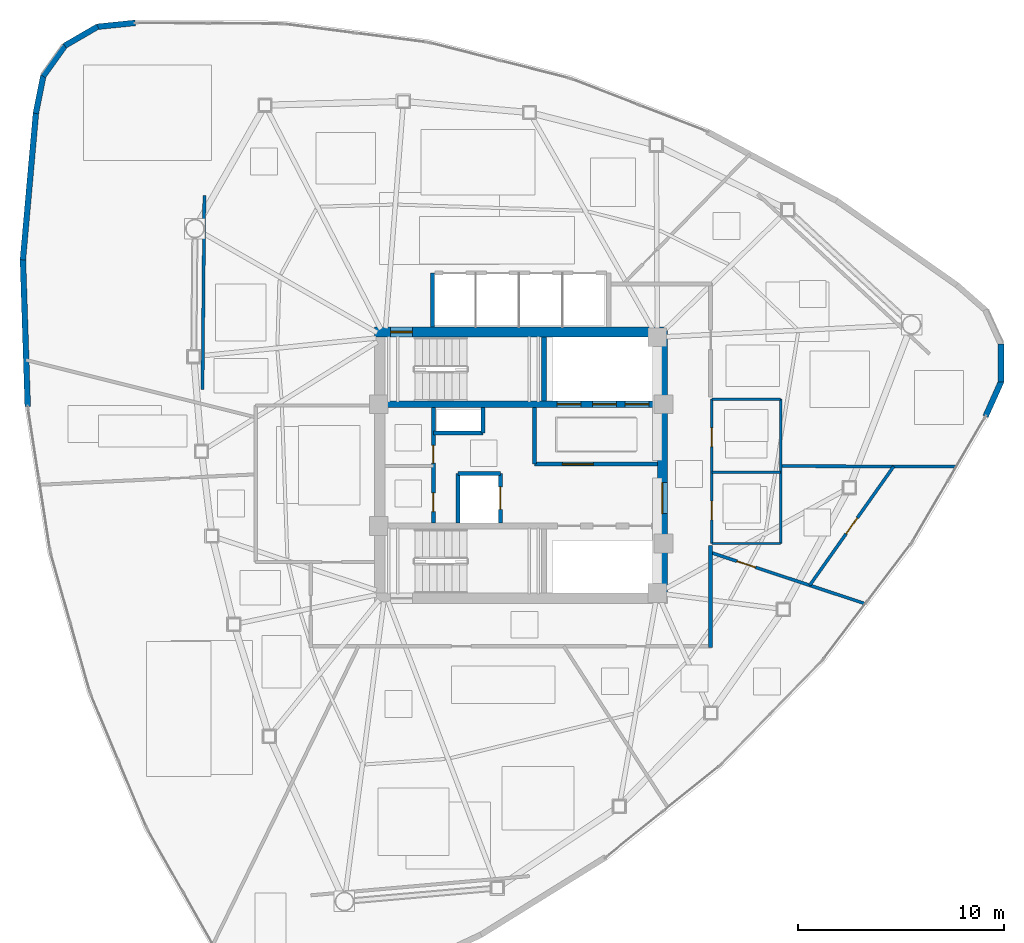
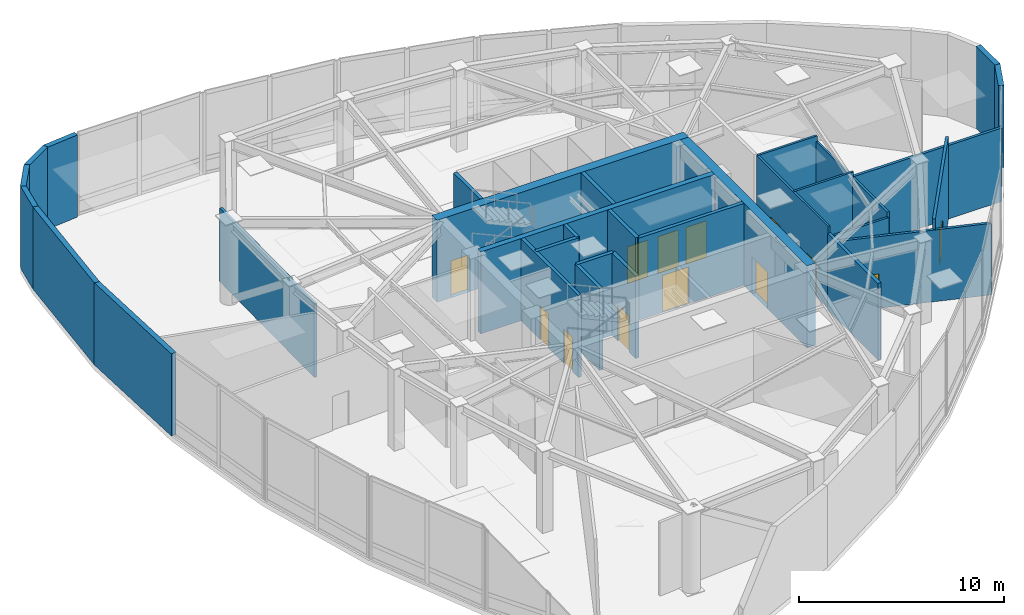
# One storey, part 9 of 12: 31 walls, 13 doors, 13 openings.
"""IFC4 building model written with IfcOpenShell, lengths in metres."""

from ifc_helpers import new_model, si_unit, direction, frame, frame_2d, origin, place, context, subcontext, project, spatial, rectangle, extrude, material, layer, layer_set, type_object, element, fill, save


model = new_model("IFC4")

# Units and contexts
model_context = context("Model", 3, precision=1e-05, world=origin(), true_north=direction((0.0, 1.0)))
body_context = subcontext(model_context, "Body", "Model", "MODEL_VIEW")
ifc_project = project(units=[si_unit("LENGTHUNIT", "METRE"), si_unit("AREAUNIT", "SQUARE_METRE"), si_unit("VOLUMEUNIT", "CUBIC_METRE"), si_unit("PLANEANGLEUNIT", "RADIAN"), si_unit("MASSUNIT", "GRAM", prefix="KILO")], contexts=[model_context])

# Site, building, storey
site_placement = place(None, origin())
site = spatial("IfcSite", under=ifc_project, at=site_placement, CompositionType="ELEMENT")
building_placement = place(site_placement, origin())
building = spatial("IfcBuilding", under=site, at=building_placement, Name="Tavelor Broadcast Tower", CompositionType="ELEMENT")
storey_placement = place(building_placement, frame((0.0, 0.0, 216.949951171875)))
storey = spatial("IfcBuildingStorey", under=building, at=storey_placement, Name="L51", CompositionType="ELEMENT", Elevation=216.949951171875)

# Wall, opening, door
ifc_material_1 = material(Name="Concrete C50/60", Category="concrete")
ifc_layer_1 = layer(ifc_material_1, 0.5)
ifc_layer_set_1 = layer_set([ifc_layer_1], Name="Concrete C50/60")
wall_type_1 = type_object("IfcWallType", Name="Core Shear Wall 500 mm", PredefinedType="SHEAR", material=ifc_layer_set_1)
wall_1_placement = place(storey_placement, frame((42.89990234375, 51.449951171875, 0.0), z_axis=(0.0, 0.0, 1.0), x_axis=(1.0, 0.0, 0.0)))
wall_1 = element("IfcWall", 1, at=wall_1_placement, inside=storey, type_object=wall_type_1, Name="L51 Central Core Shear Wall N", PredefinedType="SHEAR", context=body_context, shape_type="SweptSolid", body=[
    extrude(rectangle(XDim=14.2001953125, YDim=0.5, at=frame_2d((7.10009765625, 0.0))), origin(), (0.0, 0.0, 1.0), 4.900146484375),
])
opening_1_placement = place(wall_1_placement, frame((0.780029296875, 0.0, 0.0)))
opening_1 = element("IfcOpeningElement", 2, at=opening_1_placement, cuts=wall_1, Name="Opening DR11", PredefinedType="OPENING", context=body_context, shape_type="SweptSolid", body=[
    extrude(rectangle(XDim=1.050048828125, YDim=2.199951171875, at=frame_2d((0.52490234375, 1.10009765625))), frame((0.0, 0.260009765625, 0.0), z_axis=(0.0, -1.0, 0.0), x_axis=(1.0, 0.0, 0.0)), (0.0, 0.0, 1.0), 0.52001953125),
])
ifc_material_2 = material(Name="Steel S355", Category="steel")
door_type_1 = type_object("IfcDoorType", Name="Stair Core Fire Escape Door 1050x2200", OperationType="NOTDEFINED", PredefinedType="DOOR", material=ifc_material_2)
door_1_placement = place(opening_1_placement, origin())
door_1 = element("IfcDoor", 3, at=door_1_placement, inside=storey, type_object=door_type_1, Name="L51 Stair ST1 Protected Exit Door", OperationType="SINGLE_SWING_LEFT", OverallHeight=2.199951171875, OverallWidth=1.050048828125, PredefinedType="DOOR", context=body_context, shape_type="SweptSolid", body=[
    extrude(rectangle(XDim=1.050048828125, YDim=2.199951171875, at=frame_2d((0.52490234375, 1.10009765625))), frame((0.0, 0.02490234375, 0.0), z_axis=(0.0, -1.0, 0.0), x_axis=(1.0, 0.0, 0.0)), (0.0, 0.0, 1.0), 0.050048828125),
])
fill(opening_1, door_1)

wall_2_placement = place(storey_placement, frame((56.85009765625, 38.800048828125, 0.0), z_axis=(0.0, 0.0, 1.0), x_axis=(0.0, 1.0, 0.0)))
wall_2 = element("IfcWall", 4, at=wall_2_placement, inside=storey, type_object=wall_type_1, Name="L51 Central Core Shear Wall E", PredefinedType="SHEAR", context=body_context, shape_type="SweptSolid", body=[
    extrude(rectangle(XDim=12.39990234375, YDim=0.5, at=frame_2d((6.199951171875, 0.0))), origin(), (0.0, 0.0, 1.0), 4.900146484375),
])
opening_2_placement = place(wall_2_placement, frame((3.85009765625, 0.0, 0.0)))
opening_2 = element("IfcOpeningElement", 5, at=opening_2_placement, cuts=wall_2, Name="Opening DR14", PredefinedType="OPENING", context=body_context, shape_type="SweptSolid", body=[
    extrude(rectangle(XDim=1.5, YDim=2.199951171875, at=frame_2d((0.75, 1.10009765625))), frame((0.0, 0.260009765625, 0.0), z_axis=(0.0, -1.0, 0.0), x_axis=(1.0, 0.0, 0.0)), (0.0, 0.0, 1.0), 0.52001953125),
])
door_type_2 = type_object("IfcDoorType", Name="Firefighting Lobby Double Fire Door 1500x2200", OperationType="NOTDEFINED", PredefinedType="DOOR", material=ifc_material_2)
door_2_placement = place(opening_2_placement, origin())
door_2 = element("IfcDoor", 6, at=door_2_placement, inside=storey, type_object=door_type_2, Name="L51 Central Core Lobby Fire Door", OperationType="SINGLE_SWING_LEFT", OverallHeight=2.199951171875, OverallWidth=1.5, PredefinedType="DOOR", context=body_context, shape_type="SweptSolid", body=[
    extrude(rectangle(XDim=1.5, YDim=2.199951171875, at=frame_2d((0.75, 1.10009765625))), frame((0.0, 0.02490234375, 0.0), z_axis=(0.0, -1.0, 0.0), x_axis=(1.0, 0.0, 0.0)), (0.0, 0.0, 1.0), 0.050048828125),
])
fill(opening_2, door_2)

# Wall, openings, doors
ifc_layer_2 = layer(ifc_material_1, 0.300048828125)
ifc_layer_set_2 = layer_set([ifc_layer_2], Name="Concrete C50/60")
wall_type_2 = type_object("IfcWallType", Name="Core Spine Shear Wall 300 mm C50", PredefinedType="SHEAR", material=ifc_layer_set_2)
wall_3_placement = place(storey_placement, frame((43.39990234375, 47.949951171875, 0.0), z_axis=(0.0, 0.0, 1.0), x_axis=(1.0, 0.0, 0.0)))
wall_3 = element("IfcWall", 7, at=wall_3_placement, inside=storey, type_object=wall_type_2, Name="L51 Central Core Shear Wall SP1", PredefinedType="SHEAR", context=body_context, shape_type="SweptSolid", body=[
    extrude(rectangle(XDim=13.2001953125, YDim=0.300048828125, at=frame_2d((6.60009765625, 0.0))), origin(), (0.0, 0.0, 1.0), 4.900146484375),
])
opening_3_placement = place(wall_3_placement, frame((8.344970703125, 0.0, 0.0)))
opening_3 = element("IfcOpeningElement", 8, at=opening_3_placement, cuts=wall_3, Name="Opening LD02", PredefinedType="OPENING", context=body_context, shape_type="SweptSolid", body=[
    extrude(rectangle(XDim=1.14990234375, YDim=2.199951171875, at=frame_2d((0.574951171875, 1.10009765625))), frame((0.0, 0.16015625, 0.0), z_axis=(0.0, -1.0, 0.0), x_axis=(1.0, 0.0, 0.0)), (0.0, 0.0, 1.0), 0.320068359375),
])
opening_4_placement = place(wall_3_placement, frame((10.06494140625, 0.0, 0.0)))
opening_4 = element("IfcOpeningElement", 9, at=opening_4_placement, cuts=wall_3, Name="Opening LD02", PredefinedType="OPENING", context=body_context, shape_type="SweptSolid", body=[
    extrude(rectangle(XDim=1.14990234375, YDim=2.199951171875, at=frame_2d((0.574951171875, 1.10009765625))), frame((0.0, 0.16015625, 0.0), z_axis=(0.0, -1.0, 0.0), x_axis=(1.0, 0.0, 0.0)), (0.0, 0.0, 1.0), 0.320068359375),
])
opening_5_placement = place(wall_3_placement, frame((11.64501953125, 0.0, 0.0)))
opening_5 = element("IfcOpeningElement", 10, at=opening_5_placement, cuts=wall_3, Name="Opening LD03", PredefinedType="OPENING", context=body_context, shape_type="SweptSolid", body=[
    extrude(rectangle(XDim=1.14990234375, YDim=2.199951171875, at=frame_2d((0.574951171875, 1.10009765625))), frame((0.0, 0.16015625, 0.0), z_axis=(0.0, -1.0, 0.0), x_axis=(1.0, 0.0, 0.0)), (0.0, 0.0, 1.0), 0.320068359375),
])
ifc_material_3 = material(Name="Reinforced Brushed Stainless Steel", Category="concrete")
door_type_3 = type_object("IfcDoorType", Name="Broadcast Goods Lift Sliding Landing Door 1250x2200", OperationType="NOTDEFINED", PredefinedType="DOOR", material=ifc_material_3)
door_3_placement = place(opening_5_placement, origin())
door_3 = element("IfcDoor", 11, at=door_3_placement, inside=storey, type_object=door_type_3, Name="L51 Lift SVL1 Sliding Landing Door", OperationType="SLIDING_TO_LEFT", OverallHeight=2.199951171875, OverallWidth=1.14990234375, PredefinedType="DOOR", context=body_context, shape_type="SweptSolid", body=[
    extrude(rectangle(XDim=1.14990234375, YDim=2.199951171875, at=frame_2d((0.574951171875, 1.10009765625))), frame((0.0, 0.02490234375, 0.0), z_axis=(0.0, -1.0, 0.0), x_axis=(1.0, 0.0, 0.0)), (0.0, 0.0, 1.0), 0.050048828125),
])
fill(opening_5, door_3)
ifc_material_4 = material(Name="Fire-Rated Stainless Steel", Category="steel")
door_type_4 = type_object("IfcDoorType", Name="Firefighting Lift Sliding Landing Door 1200x2200", OperationType="NOTDEFINED", PredefinedType="DOOR", material=ifc_material_4)
door_4_placement = place(opening_3_placement, origin())
door_4 = element("IfcDoor", 12, at=door_4_placement, inside=storey, type_object=door_type_4, Name="L51 Lift FFL1 Sliding Landing Door", OperationType="SLIDING_TO_LEFT", OverallHeight=2.199951171875, OverallWidth=1.14990234375, PredefinedType="DOOR", context=body_context, shape_type="SweptSolid", body=[
    extrude(rectangle(XDim=1.14990234375, YDim=2.199951171875, at=frame_2d((0.574951171875, 1.10009765625))), frame((0.0, 0.02490234375, 0.0), z_axis=(0.0, -1.0, 0.0), x_axis=(1.0, 0.0, 0.0)), (0.0, 0.0, 1.0), 0.050048828125),
])
fill(opening_3, door_4)
door_5_placement = place(opening_4_placement, origin())
door_5 = element("IfcDoor", 13, at=door_5_placement, inside=storey, type_object=door_type_4, Name="L51 Lift FFL2 Sliding Landing Door", OperationType="SLIDING_TO_LEFT", OverallHeight=2.199951171875, OverallWidth=1.14990234375, PredefinedType="DOOR", context=body_context, shape_type="SweptSolid", body=[
    extrude(rectangle(XDim=1.14990234375, YDim=2.199951171875, at=frame_2d((0.574951171875, 1.10009765625))), frame((0.0, 0.02490234375, 0.0), z_axis=(0.0, -1.0, 0.0), x_axis=(1.0, 0.0, 0.0)), (0.0, 0.0, 1.0), 0.050048828125),
])
fill(opening_4, door_5)

ifc_material_5 = material(Name="Calcium Silicate Fire Board 180 mm", Category="gypsum")
ifc_layer_3 = layer(ifc_material_5, 0.179931640625)
ifc_layer_set_3 = layer_set([ifc_layer_3], Name="Calcium Silicate Fire Board 180 mm")
wall_type_3 = type_object("IfcWallType", Name="Fire-Rated Corridor Partition Wall 180 mm", PredefinedType="PARTITIONING", material=ifc_layer_set_3)
wall_4_placement = place(storey_placement, frame((45.75, 42.199951171875, 0.0), z_axis=(0.0, 0.0, 1.0), x_axis=(0.0, 1.0, 0.0)))
wall_4 = element("IfcWall", 14, at=wall_4_placement, inside=storey, type_object=wall_type_3, Name="L51 Core West Service East Wall", PredefinedType="PARTITIONING", context=body_context, shape_type="SweptSolid", body=[
    extrude(rectangle(XDim=5.60009765625, YDim=0.179931640625, at=frame_2d((2.800048828125, 0.0))), origin(), (0.0, 0.0, 1.0), 4.900146484375),
])
opening_6_placement = place(wall_4_placement, frame((0.550048828125, 0.0, 0.0)))
opening_6 = element("IfcOpeningElement", 15, at=opening_6_placement, cuts=wall_4, Name="Opening DR32", PredefinedType="OPENING", context=body_context, shape_type="SweptSolid", body=[
    extrude(rectangle(XDim=0.89990234375, YDim=2.050048828125, at=frame_2d((0.449951171875, 1.02490234375))), frame((0.0, 0.10009765625, 0.0), z_axis=(0.0, -1.0, 0.0), x_axis=(1.0, 0.0, 0.0)), (0.0, 0.0, 1.0), 0.199951171875),
])
opening_7_placement = place(wall_4_placement, frame((2.89990234375, 0.0, 0.0)))
opening_7 = element("IfcOpeningElement", 16, at=opening_7_placement, cuts=wall_4, Name="Opening DR36", PredefinedType="OPENING", context=body_context, shape_type="SweptSolid", body=[
    extrude(rectangle(XDim=0.85009765625, YDim=2.050048828125, at=frame_2d((0.425048828125, 1.02490234375))), frame((0.0, 0.10009765625, 0.0), z_axis=(0.0, -1.0, 0.0), x_axis=(1.0, 0.0, 0.0)), (0.0, 0.0, 1.0), 0.199951171875),
])
ifc_material_6 = material(Name="Timber Solid Core Hardwood", Category="wood")
door_type_5 = type_object("IfcDoorType", Name="Accessible Washroom Door 900x2050", OperationType="NOTDEFINED", PredefinedType="DOOR", material=ifc_material_6)
door_6_placement = place(opening_6_placement, origin())
door_6 = element("IfcDoor", 17, at=door_6_placement, inside=storey, type_object=door_type_5, Name="L51 Core Accessible WC Door", OperationType="SINGLE_SWING_LEFT", OverallHeight=2.050048828125, OverallWidth=0.89990234375, PredefinedType="DOOR", context=body_context, shape_type="SweptSolid", body=[
    extrude(rectangle(XDim=0.89990234375, YDim=2.050048828125, at=frame_2d((0.449951171875, 1.02490234375))), frame((0.0, 0.02490234375, 0.0), z_axis=(0.0, -1.0, 0.0), x_axis=(1.0, 0.0, 0.0)), (0.0, 0.0, 1.0), 0.050048828125),
])
fill(opening_6, door_6)
door_type_6 = type_object("IfcDoorType", Name="Service Room Fire Door 850x2050", OperationType="NOTDEFINED", PredefinedType="DOOR", material=ifc_material_2)
door_7_placement = place(opening_7_placement, origin())
door_7 = element("IfcDoor", 18, at=door_7_placement, inside=storey, type_object=door_type_6, Name="L51 Core Cleaner Store Door", OperationType="SINGLE_SWING_RIGHT", OverallHeight=2.050048828125, OverallWidth=0.85009765625, PredefinedType="DOOR", context=body_context, shape_type="SweptSolid", body=[
    extrude(rectangle(XDim=0.85009765625, YDim=2.050048828125, at=frame_2d((0.425048828125, 1.02490234375))), frame((0.0, 0.02490234375, 0.0), z_axis=(0.0, -1.0, 0.0), x_axis=(1.0, 0.0, 0.0)), (0.0, 0.0, 1.0), 0.050048828125),
])
fill(opening_7, door_7)

# Walls
wall_5_placement = place(storey_placement, frame((59.179931640625, 41.10009765625, 0.0), z_axis=(0.0, 0.0, 1.0), x_axis=(0.0, -1.0, 0.0)))
element("IfcWall", 19, at=wall_5_placement, inside=storey, type_object=wall_type_3, Name="L51 Corridor Compartment Wall 03", PredefinedType="PARTITIONING", context=body_context, shape_type="SweptSolid", body=[
    extrude(rectangle(XDim=4.93017578125, YDim=0.179931640625, at=frame_2d((2.465087890625, 0.0))), origin(), (0.0, 0.0, 1.0), 4.574951171875),
])
ifc_material_7 = material(Name="Precast Concrete C40/50", Category="concrete")
ifc_layer_4 = layer(ifc_material_7, 0.280029296875)
ifc_layer_set_4 = layer_set([ifc_layer_4], Name="Precast Concrete C40/50")
wall_type_4 = type_object("IfcWallType", Name="Insulated Precast Terracotta Facade Wall 280 mm", PredefinedType="STANDARD", material=ifc_layer_set_4)
wall_6_placement = place(storey_placement, frame((31.302001953125, 66.428466796875, 0.0), z_axis=(0.0, 0.0, 1.0), x_axis=(-0.994790676988, -0.101938751113, 0.0)))
element("IfcWall", 20, at=wall_6_placement, inside=storey, type_object=wall_type_4, Name="L51 Rounded Corner Structural Cladding Pier 01", PredefinedType="STANDARD", context=body_context, shape_type="SweptSolid", body=[
    extrude(rectangle(XDim=1.856201171875, YDim=0.280029296875, at=frame_2d((0.92822265625, 0.0))), origin(), (0.0, 0.0, 1.0), 4.900146484375),
])
wall_7_placement = place(storey_placement, frame((29.4833984375, 66.248291015625, 0.0), z_axis=(0.0, 0.0, 1.0), x_axis=(-0.864718471784, -0.502256871088, 0.0)))
element("IfcWall", 21, at=wall_7_placement, inside=storey, type_object=wall_type_4, Name="L51 Rounded Corner Structural Cladding Pier 02", PredefinedType="STANDARD", context=body_context, shape_type="SweptSolid", body=[
    extrude(rectangle(XDim=1.84423828125, YDim=0.280029296875, at=frame_2d((0.922119140625, 0.0))), origin(), (0.0, 0.0, 1.0), 4.900146484375),
])
wall_8_placement = place(storey_placement, frame((27.910400390625, 65.341796875, 0.0), z_axis=(0.0, 0.0, 1.0), x_axis=(-0.581438498216, -0.813590359329, 0.0)))
element("IfcWall", 22, at=wall_8_placement, inside=storey, type_object=wall_type_4, Name="L51 Rounded Corner Structural Cladding Pier 03", PredefinedType="STANDARD", context=body_context, shape_type="SweptSolid", body=[
    extrude(rectangle(XDim=1.844482421875, YDim=0.280029296875, at=frame_2d((0.92236328125, 0.0))), origin(), (0.0, 0.0, 1.0), 4.900146484375),
])
wall_9_placement = place(storey_placement, frame((26.849609375, 63.867919921875, 0.0), z_axis=(0.0, 0.0, 1.0), x_axis=(-0.19511010236, -0.980781345641, 0.0)))
element("IfcWall", 23, at=wall_9_placement, inside=storey, type_object=wall_type_4, Name="L51 Rounded Corner Structural Cladding Pier 04", PredefinedType="STANDARD", context=body_context, shape_type="SweptSolid", body=[
    extrude(rectangle(XDim=1.866943359375, YDim=0.280029296875, at=frame_2d((0.93359375, 0.0))), origin(), (0.0, 0.0, 1.0), 4.900146484375),
])
wall_10_placement = place(storey_placement, frame((26.489501953125, 62.06640625, 0.0), z_axis=(0.0, 0.0, 1.0), x_axis=(-0.088472785918, -0.996078594365, 0.0)))
element("IfcWall", 24, at=wall_10_placement, inside=storey, type_object=wall_type_4, Name="L51 Rounded Corner Structural Cladding Pier 05", PredefinedType="STANDARD", context=body_context, shape_type="SweptSolid", body=[
    extrude(rectangle(XDim=7.14990234375, YDim=0.280029296875, at=frame_2d((3.574951171875, 0.0))), origin(), (0.0, 0.0, 1.0), 4.900146484375),
])
wall_11_placement = place(storey_placement, frame((25.857666015625, 54.974609375, 0.0), z_axis=(0.0, 0.0, 1.0), x_axis=(0.03273286945, -0.999464136054, 0.0)))
element("IfcWall", 25, at=wall_11_placement, inside=storey, type_object=wall_type_4, Name="L51 Rounded Corner Structural Cladding Pier 06", PredefinedType="STANDARD", context=body_context, shape_type="SweptSolid", body=[
    extrude(rectangle(XDim=7.137939453125, YDim=0.280029296875, at=frame_2d((3.56884765625, 0.0))), origin(), (0.0, 0.0, 1.0), 4.900146484375),
])
wall_12_placement = place(storey_placement, frame((72.506591796875, 47.36083984375, 0.0), z_axis=(0.0, 0.0, 1.0), x_axis=(0.409150307884, 0.912466999709, 0.0)))
element("IfcWall", 26, at=wall_12_placement, inside=storey, type_object=wall_type_4, Name="L51 Rounded Corner Structural Cladding Pier 21", PredefinedType="STANDARD", context=body_context, shape_type="SweptSolid", body=[
    extrude(rectangle(XDim=1.8564453125, YDim=0.280029296875, at=frame_2d((0.92822265625, 0.0))), origin(), (0.0, 0.0, 1.0), 4.900146484375),
])
wall_13_placement = place(storey_placement, frame((73.260009765625, 49.02587890625, 0.0), z_axis=(0.0, 0.0, 1.0), x_axis=(-0.00277960541, 0.999996136889, 0.0)))
element("IfcWall", 27, at=wall_13_placement, inside=storey, type_object=wall_type_4, Name="L51 Rounded Corner Structural Cladding Pier 22", PredefinedType="STANDARD", context=body_context, shape_type="SweptSolid", body=[
    extrude(rectangle(XDim=1.844482421875, YDim=0.280029296875, at=frame_2d((0.92236328125, 0.0))), origin(), (0.0, 0.0, 1.0), 4.900146484375),
])
ifc_material_8 = material(Name="Gypsum Acoustic Plasterboard 150 mm", Category="gypsum")
ifc_layer_5 = layer(ifc_material_8, 0.14990234375)
ifc_layer_set_5 = layer_set([ifc_layer_5], Name="Gypsum Acoustic Plasterboard 150 mm")
wall_type_5 = type_object("IfcWallType", Name="Interior Acoustic Partition Wall 150 mm", PredefinedType="PARTITIONING", material=ifc_layer_set_5)
wall_14_placement = place(storey_placement, frame((34.651611328125, 58.0556640625, 0.0), z_axis=(0.0, 0.0, 1.0), x_axis=(-0.009553538759, -0.999954363907, 0.0)))
element("IfcWall", 28, at=wall_14_placement, inside=storey, type_object=wall_type_5, Name="L51 Corner Tube Brace Furring Wall 1", PredefinedType="PARTITIONING", context=body_context, shape_type="SweptSolid", body=[
    extrude(rectangle(XDim=9.404296875, YDim=0.14990234375, at=frame_2d((4.7021484375, 0.0))), origin(), (0.0, 0.0, 1.0), 4.385009765625),
])

# Wall, opening, door
wall_15_placement = place(storey_placement, frame((59.179931640625, 40.765625, 0.0), z_axis=(0.0, 0.0, 1.0), x_axis=(0.949255862532, -0.314504860772, 0.0)))
wall_15 = element("IfcWall", 29, at=wall_15_placement, inside=storey, type_object=wall_type_5, Name="L51 Radial Compartment Wall 03", PredefinedType="PARTITIONING", context=body_context, shape_type="SweptSolid", body=[
    extrude(rectangle(XDim=7.909423828125, YDim=0.14990234375, at=frame_2d((3.95458984375, 0.0))), origin(), (0.0, 0.0, 1.0), 4.275146484375),
])
opening_8_placement = place(wall_15_placement, frame((1.35009765625, 0.0, 0.0)))
opening_8 = element("IfcOpeningElement", 30, at=opening_8_placement, cuts=wall_15, Name="Opening DR18", PredefinedType="OPENING", context=body_context, shape_type="SweptSolid", body=[
    extrude(rectangle(XDim=0.949951171875, YDim=2.050048828125, at=frame_2d((0.47509765625, 1.02490234375))), frame((0.0, 0.0849609375, 0.0), z_axis=(0.0, -1.0, 0.0), x_axis=(1.0, 0.0, 0.0)), (0.0, 0.0, 1.0), 0.169921875),
])
door_type_7 = type_object("IfcDoorType", Name="Corridor Rated Compartment Door 950x2050", OperationType="NOTDEFINED", PredefinedType="DOOR", material=ifc_material_6)
door_8_placement = place(opening_8_placement, origin())
door_8 = element("IfcDoor", 31, at=door_8_placement, inside=storey, type_object=door_type_7, Name="L51 Suite Connecting Door 7", OperationType="SINGLE_SWING_RIGHT", OverallHeight=2.050048828125, OverallWidth=0.949951171875, PredefinedType="DOOR", context=body_context, shape_type="SweptSolid", body=[
    extrude(rectangle(XDim=0.949951171875, YDim=2.050048828125, at=frame_2d((0.47509765625, 1.02490234375))), frame((0.0, 0.02490234375, 0.0), z_axis=(0.0, -1.0, 0.0), x_axis=(1.0, 0.0, 0.0)), (0.0, 0.0, 1.0), 0.050048828125),
])
fill(opening_8, door_8)

# Wall
wall_16_placement = place(storey_placement, frame((62.64990234375, 44.950927734375, 0.0), z_axis=(0.0, 0.0, 1.0), x_axis=(0.999995390856, -0.003036159848, 0.0)))
element("IfcWall", 32, at=wall_16_placement, inside=storey, type_object=wall_type_5, Name="L51 Radial Compartment Wall 04", PredefinedType="PARTITIONING", context=body_context, shape_type="SweptSolid", body=[
    extrude(rectangle(XDim=8.443115234375, YDim=0.14990234375, at=frame_2d((4.2216796875, 0.0))), origin(), (0.0, 0.0, 1.0), 4.385009765625),
])

# Wall, opening, door
wall_17_placement = place(storey_placement, frame((63.985107421875, 39.173583984375, 0.0), z_axis=(0.0, 0.0, 1.0), x_axis=(0.576874808599, 0.816832574769, 0.0)))
wall_17 = element("IfcWall", 33, at=wall_17_placement, inside=storey, type_object=wall_type_5, Name="L51 Suite Chord Partition Wall 01", PredefinedType="PARTITIONING", context=body_context, shape_type="SweptSolid", body=[
    extrude(rectangle(XDim=7.052734375, YDim=0.14990234375, at=frame_2d((3.5263671875, 0.0))), origin(), (0.0, 0.0, 1.0), 4.900146484375),
])
opening_9_placement = place(wall_17_placement, frame((3.051513671875, 0.0, 0.0)))
opening_9 = element("IfcOpeningElement", 34, at=opening_9_placement, cuts=wall_17, Name="Opening DR23", PredefinedType="OPENING", context=body_context, shape_type="SweptSolid", body=[
    extrude(rectangle(XDim=0.949951171875, YDim=2.050048828125, at=frame_2d((0.47509765625, 1.02490234375))), frame((0.0, 0.0849609375, 0.0), z_axis=(0.0, -1.0, 0.0), x_axis=(1.0, 0.0, 0.0)), (0.0, 0.0, 1.0), 0.169921875),
])
door_type_8 = type_object("IfcDoorType", Name="Editorial Room Acoustic Door 950x2050", OperationType="NOTDEFINED", PredefinedType="DOOR", material=ifc_material_6)
door_9_placement = place(opening_9_placement, origin())
door_9 = element("IfcDoor", 35, at=door_9_placement, inside=storey, type_object=door_type_8, Name="L51 Outer Suite Partition Door 1", OperationType="SINGLE_SWING_LEFT", OverallHeight=2.050048828125, OverallWidth=0.949951171875, PredefinedType="DOOR", context=body_context, shape_type="SweptSolid", body=[
    extrude(rectangle(XDim=0.949951171875, YDim=2.050048828125, at=frame_2d((0.47509765625, 1.02490234375))), frame((0.0, 0.02490234375, 0.0), z_axis=(0.0, -1.0, 0.0), x_axis=(1.0, 0.0, 0.0)), (0.0, 0.0, 1.0), 0.050048828125),
])
fill(opening_9, door_9)

ifc_material_9 = material(Name="Concrete Blockwork 200 mm", Category="masonry")
ifc_layer_6 = layer(ifc_material_9, 0.199951171875)
ifc_layer_set_6 = layer_set([ifc_layer_6], Name="Concrete Blockwork 200 mm")
wall_type_6 = type_object("IfcWallType", Name="Lift Hoistway Rated Front Wall 200 mm", PredefinedType="PARTITIONING", material=ifc_layer_set_6)
wall_18_placement = place(storey_placement, frame((49.0, 42.199951171875, 0.0), z_axis=(0.0, 0.0, 1.0), x_axis=(0.0, 1.0, 0.0)))
wall_18 = element("IfcWall", 36, at=wall_18_placement, inside=storey, type_object=wall_type_6, Name="L51 Mid-Rise Lift PLM4 Hoistway Front Wall", PredefinedType="PARTITIONING", context=body_context, shape_type="SweptSolid", body=[
    extrude(rectangle(XDim=2.400146484375, YDim=0.199951171875, at=frame_2d((1.2001953125, 0.0))), origin(), (0.0, 0.0, 1.0), 4.900146484375),
])
opening_10_placement = place(wall_18_placement, frame((0.64990234375, 0.0, 0.0)))
opening_10 = element("IfcOpeningElement", 37, at=opening_10_placement, cuts=wall_18, Name="Opening LD01", PredefinedType="OPENING", context=body_context, shape_type="SweptSolid", body=[
    extrude(rectangle(XDim=1.10009765625, YDim=2.14990234375, at=frame_2d((0.550048828125, 1.074951171875))), frame((0.0, 0.10986328125, 0.0), z_axis=(0.0, -1.0, 0.0), x_axis=(1.0, 0.0, 0.0)), (0.0, 0.0, 1.0), 0.219970703125),
])
ifc_material_10 = material(Name="Brushed Stainless Steel", Category="steel")
door_type_9 = type_object("IfcDoorType", Name="Passenger Lift Sliding Landing Door 1100x2150", OperationType="NOTDEFINED", PredefinedType="DOOR", material=ifc_material_10)
door_10_placement = place(opening_10_placement, origin())
door_10 = element("IfcDoor", 38, at=door_10_placement, inside=storey, type_object=door_type_9, Name="L51 Lift PLM4 Sliding Landing Door", OperationType="SLIDING_TO_RIGHT", OverallHeight=2.14990234375, OverallWidth=1.10009765625, PredefinedType="DOOR", context=body_context, shape_type="SweptSolid", body=[
    extrude(rectangle(XDim=1.10009765625, YDim=2.14990234375, at=frame_2d((0.550048828125, 1.074951171875))), frame((0.0, 0.02490234375, 0.0), z_axis=(0.0, -1.0, 0.0), x_axis=(1.0, 0.0, 0.0)), (0.0, 0.0, 1.0), 0.050048828125),
])
fill(opening_10, door_10)

# Walls
ifc_layer_7 = layer(ifc_material_9, 0.199951171875)
ifc_layer_set_7 = layer_set([ifc_layer_7], Name="Concrete Blockwork 200 mm")
wall_type_7 = type_object("IfcWallType", Name="Lift and Riser Shaft Enclosure Wall 200 mm", PredefinedType="PARTITIONING", material=ifc_layer_set_7)
wall_19_placement = place(storey_placement, frame((45.699951171875, 51.699951171875, 0.0), z_axis=(0.0, 0.0, 1.0), x_axis=(0.0, 1.0, 0.0)))
element("IfcWall", 39, at=wall_19_placement, inside=storey, type_object=wall_type_7, Name="L51 High-Rise Lift Shaft West Wall", PredefinedType="PARTITIONING", context=body_context, shape_type="SweptSolid", body=[
    extrude(rectangle(XDim=2.60009765625, YDim=0.199951171875, at=frame_2d((1.300048828125, 0.0))), origin(), (0.0, 0.0, 1.0), 4.900146484375),
])
wall_20_placement = place(storey_placement, frame((45.75, 46.550048828125, 0.0), z_axis=(0.0, 0.0, 1.0), x_axis=(1.0, 0.0, 0.0)))
element("IfcWall", 40, at=wall_20_placement, inside=storey, type_object=wall_type_7, Name="L51 Riser Shaft South Wall", PredefinedType="PARTITIONING", context=body_context, shape_type="SweptSolid", body=[
    extrude(rectangle(XDim=2.39990234375, YDim=0.199951171875, at=frame_2d((1.199951171875, 0.0))), origin(), (0.0, 0.0, 1.0), 4.900146484375),
])
wall_21_placement = place(storey_placement, frame((48.14990234375, 46.550048828125, 0.0), z_axis=(0.0, 0.0, 1.0), x_axis=(0.0, 1.0, 0.0)))
element("IfcWall", 41, at=wall_21_placement, inside=storey, type_object=wall_type_7, Name="L51 Riser Shaft East Wall", PredefinedType="PARTITIONING", context=body_context, shape_type="SweptSolid", body=[
    extrude(rectangle(XDim=1.25, YDim=0.199951171875, at=frame_2d((0.625, 0.0))), origin(), (0.0, 0.0, 1.0), 4.900146484375),
])
wall_22_placement = place(storey_placement, frame((46.949951171875, 42.199951171875, 0.0), z_axis=(0.0, 0.0, 1.0), x_axis=(0.0, 1.0, 0.0)))
element("IfcWall", 42, at=wall_22_placement, inside=storey, type_object=wall_type_7, Name="L51 Mid-Rise Lift PLM4 West Wall", PredefinedType="PARTITIONING", context=body_context, shape_type="SweptSolid", body=[
    extrude(rectangle(XDim=2.400146484375, YDim=0.199951171875, at=frame_2d((1.2001953125, 0.0))), origin(), (0.0, 0.0, 1.0), 4.900146484375),
])
wall_23_placement = place(storey_placement, frame((46.949951171875, 44.60009765625, 0.0), z_axis=(0.0, 0.0, 1.0), x_axis=(1.0, 0.0, 0.0)))
element("IfcWall", 43, at=wall_23_placement, inside=storey, type_object=wall_type_7, Name="L51 Mid-Rise Lift PLM4 North Wall", PredefinedType="PARTITIONING", context=body_context, shape_type="SweptSolid", body=[
    extrude(rectangle(XDim=2.050048828125, YDim=0.199951171875, at=frame_2d((1.02490234375, 0.0))), origin(), (0.0, 0.0, 1.0), 4.900146484375),
])

# Wall, opening, door
wall_24_placement = place(storey_placement, frame((50.64990234375, 45.050048828125, 0.0), z_axis=(0.0, 0.0, 1.0), x_axis=(1.0, 0.0, 0.0)))
wall_24 = element("IfcWall", 44, at=wall_24_placement, inside=storey, type_object=wall_type_7, Name="L51 Firefighting Lobby South Wall", PredefinedType="PARTITIONING", context=body_context, shape_type="SweptSolid", body=[
    extrude(rectangle(XDim=5.9501953125, YDim=0.199951171875, at=frame_2d((2.97509765625, 0.0))), origin(), (0.0, 0.0, 1.0), 4.900146484375),
])
opening_11_placement = place(wall_24_placement, frame((1.35009765625, 0.0, 0.0)))
opening_11 = element("IfcOpeningElement", 45, at=opening_11_placement, cuts=wall_24, Name="Opening DR14", PredefinedType="OPENING", context=body_context, shape_type="SweptSolid", body=[
    extrude(rectangle(XDim=1.5, YDim=2.199951171875, at=frame_2d((0.75, 1.10009765625))), frame((0.0, 0.10986328125, 0.0), z_axis=(0.0, -1.0, 0.0), x_axis=(1.0, 0.0, 0.0)), (0.0, 0.0, 1.0), 0.219970703125),
])
door_11_placement = place(opening_11_placement, origin())
door_11 = element("IfcDoor", 46, at=door_11_placement, inside=storey, type_object=door_type_2, Name="L51 Firefighting Lobby Compartment Door", OperationType="SINGLE_SWING_RIGHT", OverallHeight=2.199951171875, OverallWidth=1.5, PredefinedType="DOOR", context=body_context, shape_type="SweptSolid", body=[
    extrude(rectangle(XDim=1.5, YDim=2.199951171875, at=frame_2d((0.75, 1.10009765625))), frame((0.0, 0.02490234375, 0.0), z_axis=(0.0, -1.0, 0.0), x_axis=(1.0, 0.0, 0.0)), (0.0, 0.0, 1.0), 0.050048828125),
])
fill(opening_11, door_11)

# Wall
wall_25_placement = place(storey_placement, frame((50.64990234375, 45.050048828125, 0.0), z_axis=(0.0, 0.0, 1.0), x_axis=(0.0, 1.0, 0.0)))
element("IfcWall", 47, at=wall_25_placement, inside=storey, type_object=wall_type_7, Name="L51 Firefighting Lobby West Wall", PredefinedType="PARTITIONING", context=body_context, shape_type="SweptSolid", body=[
    extrude(rectangle(XDim=2.75, YDim=0.199951171875, at=frame_2d((1.375, 0.0))), origin(), (0.0, 0.0, 1.0), 4.900146484375),
])

# Wall, openings, doors
ifc_material_11 = material(Name="Moisture-Resistant Plasterboard 120 mm", Category="gypsum")
ifc_layer_8 = layer(ifc_material_11, 0.1201171875)
ifc_layer_set_8 = layer_set([ifc_layer_8], Name="Moisture-Resistant Plasterboard 120 mm")
wall_type_8 = type_object("IfcWallType", Name="Moisture-Resistant Wet-Room Partition 120 mm", PredefinedType="PARTITIONING", material=ifc_layer_set_8)
wall_26_placement = place(storey_placement, frame((59.239990234375, 41.199951171875, 0.0), z_axis=(0.0, 0.0, 1.0), x_axis=(0.0, 1.0, 0.0)))
wall_26 = element("IfcWall", 48, at=wall_26_placement, inside=storey, type_object=wall_type_8, Name="L51 Floor Washrooms West Wall", PredefinedType="PARTITIONING", context=body_context, shape_type="SweptSolid", body=[
    extrude(rectangle(XDim=7.0, YDim=0.1201171875, at=frame_2d((3.5, 0.0))), origin(), (0.0, 0.0, 1.0), 4.900146484375),
])
opening_12_placement = place(wall_26_placement, frame((1.14990234375, 0.0, 0.0)))
opening_12 = element("IfcOpeningElement", 49, at=opening_12_placement, cuts=wall_26, Name="Opening DR32", PredefinedType="OPENING", context=body_context, shape_type="SweptSolid", body=[
    extrude(rectangle(XDim=0.89990234375, YDim=2.050048828125, at=frame_2d((0.449951171875, 1.02490234375))), frame((0.0, 0.070068359375, 0.0), z_axis=(0.0, -1.0, 0.0), x_axis=(1.0, 0.0, 0.0)), (0.0, 0.0, 1.0), 0.14013671875),
])
opening_13_placement = place(wall_26_placement, frame((4.699951171875, 0.0, 0.0)))
opening_13 = element("IfcOpeningElement", 50, at=opening_13_placement, cuts=wall_26, Name="Opening DR32", PredefinedType="OPENING", context=body_context, shape_type="SweptSolid", body=[
    extrude(rectangle(XDim=0.89990234375, YDim=2.050048828125, at=frame_2d((0.449951171875, 1.02490234375))), frame((0.0, 0.070068359375, 0.0), z_axis=(0.0, -1.0, 0.0), x_axis=(1.0, 0.0, 0.0)), (0.0, 0.0, 1.0), 0.14013671875),
])
door_12_placement = place(opening_12_placement, origin())
door_12 = element("IfcDoor", 51, at=door_12_placement, inside=storey, type_object=door_type_5, Name="L51 Accessible WC Door", OperationType="SINGLE_SWING_LEFT", OverallHeight=2.050048828125, OverallWidth=0.89990234375, PredefinedType="DOOR", context=body_context, shape_type="SweptSolid", body=[
    extrude(rectangle(XDim=0.89990234375, YDim=2.050048828125, at=frame_2d((0.449951171875, 1.02490234375))), frame((0.0, 0.02490234375, 0.0), z_axis=(0.0, -1.0, 0.0), x_axis=(1.0, 0.0, 0.0)), (0.0, 0.0, 1.0), 0.050048828125),
])
fill(opening_12, door_12)
door_13_placement = place(opening_13_placement, origin())
door_13 = element("IfcDoor", 52, at=door_13_placement, inside=storey, type_object=door_type_5, Name="L51 Staff Washroom WC Door", OperationType="SINGLE_SWING_RIGHT", OverallHeight=2.050048828125, OverallWidth=0.89990234375, PredefinedType="DOOR", context=body_context, shape_type="SweptSolid", body=[
    extrude(rectangle(XDim=0.89990234375, YDim=2.050048828125, at=frame_2d((0.449951171875, 1.02490234375))), frame((0.0, 0.02490234375, 0.0), z_axis=(0.0, -1.0, 0.0), x_axis=(1.0, 0.0, 0.0)), (0.0, 0.0, 1.0), 0.050048828125),
])
fill(opening_13, door_13)

# Walls
wall_27_placement = place(storey_placement, frame((59.239990234375, 41.199951171875, 0.0), z_axis=(0.0, 0.0, 1.0), x_axis=(1.0, 0.0, 0.0)))
element("IfcWall", 53, at=wall_27_placement, inside=storey, type_object=wall_type_8, Name="L51 Floor Washrooms South Wall", PredefinedType="PARTITIONING", context=body_context, shape_type="SweptSolid", body=[
    extrude(rectangle(XDim=3.340087890625, YDim=0.1201171875, at=frame_2d((1.669921875, 0.0))), origin(), (0.0, 0.0, 1.0), 4.275146484375),
])
for number, where, z_axis, x_axis, name in (
    (54, (59.239990234375, 44.64990234375, 0.0), (0.0, 0.0, 1.0), (1.0, 0.0, 0.0), "L51 Floor Washrooms Divider Wall"),
    (55, (59.239990234375, 48.199951171875, 0.0), (0.0, 0.0, 1.0), (1.0, 0.0, 0.0), "L51 Floor Washrooms North Wall"),
):
    element("IfcWall", number, at=place(storey_placement, frame(where, z_axis=z_axis, x_axis=x_axis)), inside=storey, type_object=wall_type_8, Name=name, PredefinedType="PARTITIONING", context=body_context, shape_type="SweptSolid", body=[
        extrude(rectangle(XDim=3.340087890625, YDim=0.1201171875, at=frame_2d((1.669921875, 0.0))), origin(), (0.0, 0.0, 1.0), 4.900146484375),
    ])
wall_28_placement = place(storey_placement, frame((62.580078125, 41.199951171875, 0.0), z_axis=(0.0, 0.0, 1.0), x_axis=(0.0, 1.0, 0.0)))
element("IfcWall", 56, at=wall_28_placement, inside=storey, type_object=wall_type_8, Name="L51 Floor Washrooms East Wall", PredefinedType="PARTITIONING", context=body_context, shape_type="SweptSolid", body=[
    extrude(rectangle(XDim=7.0, YDim=0.1201171875, at=frame_2d((3.5, 0.0))), origin(), (0.0, 0.0, 1.0), 4.574951171875),
])
ifc_material_12 = material(Name="Concrete C40/50", Category="concrete")
ifc_layer_9 = layer(ifc_material_12, 0.219970703125)
ifc_layer_set_9 = layer_set([ifc_layer_9], Name="Concrete C40/50")
wall_type_9 = type_object("IfcWallType", Name="Structural Stairwell Shear Wall 220 mm", PredefinedType="SHEAR", material=ifc_layer_set_9)
wall_29_placement = place(storey_placement, frame((51.110107421875, 48.10009765625, 0.0), z_axis=(0.0, 0.0, 1.0), x_axis=(0.0, 1.0, 0.0)))
element("IfcWall", 57, at=wall_29_placement, inside=storey, type_object=wall_type_9, Name="L51 Stair ST1 Structural Shaft Wall", PredefinedType="SHEAR", context=body_context, shape_type="SweptSolid", body=[
    extrude(rectangle(XDim=3.099853515625, YDim=0.219970703125, at=frame_2d((1.5498046875, 0.0))), origin(), (0.0, 0.0, 1.0), 4.900146484375),
])

save(model, "model.ifc")
